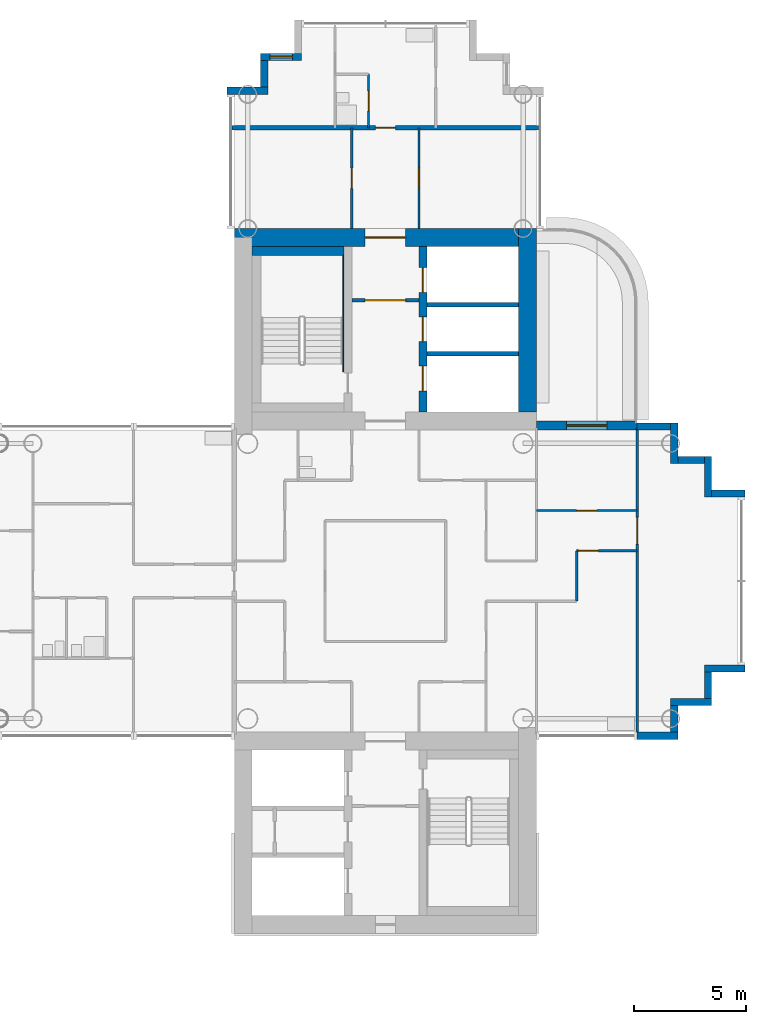
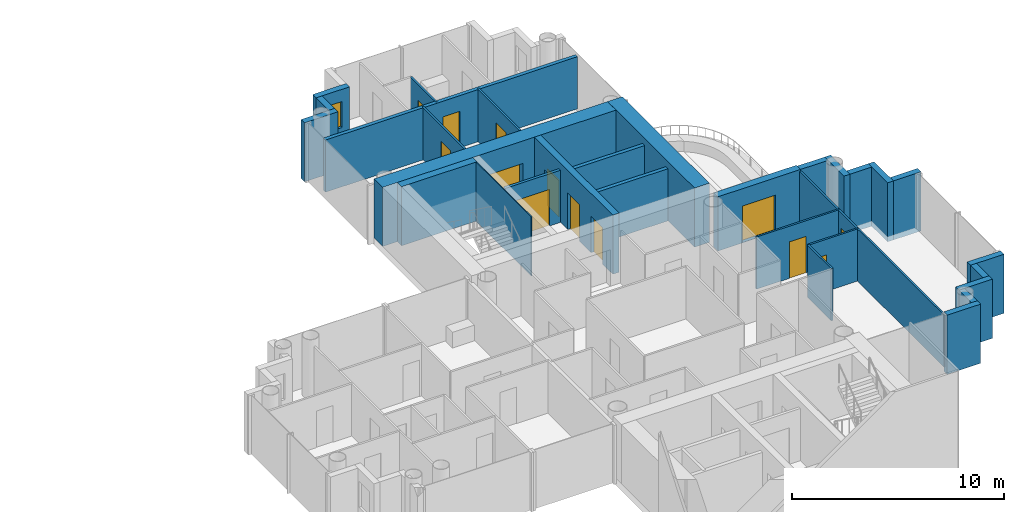
# One storey, part 12 of 20: 30 walls, 13 doors, 1 window, 14 openings.
"""IFC4 building model written with IfcOpenShell, lengths in metres."""

from ifc_helpers import new_model, si_unit, direction, frame, frame_2d, origin, place, context, subcontext, project, spatial, rectangle, extrude, material, layer, layer_set, type_object, element, fill, save


model = new_model("IFC4")

# Units and contexts
model_context = context("Model", 3, precision=1e-05, world=origin(), true_north=direction((0.0, 1.0)))
body_context = subcontext(model_context, "Body", "Model", "MODEL_VIEW")
ifc_project = project(units=[si_unit("LENGTHUNIT", "METRE"), si_unit("AREAUNIT", "SQUARE_METRE"), si_unit("VOLUMEUNIT", "CUBIC_METRE"), si_unit("PLANEANGLEUNIT", "RADIAN"), si_unit("MASSUNIT", "GRAM", prefix="KILO")], contexts=[model_context])

# Site, building, storey
site_placement = place(None, origin())
site = spatial("IfcSite", under=ifc_project, at=site_placement, CompositionType="ELEMENT")
building_placement = place(site_placement, origin())
building = spatial("IfcBuilding", under=site, at=building_placement, Name="Ipe Terrace Towers", CompositionType="ELEMENT")
storey_placement = place(building_placement, frame((0.0, 0.0, 160.89990234375)))
storey = spatial("IfcBuildingStorey", under=building, at=storey_placement, Name="L44", CompositionType="ELEMENT", Elevation=160.89990234375)

# Wall, opening, door
ifc_material_1 = material(Name="Concrete C40/50 with buff precast cladding", Category="concrete")
ifc_layer_1 = layer(ifc_material_1, 0.39990234375)
ifc_layer_set_1 = layer_set([ifc_layer_1], Name="BALCONY BAY WALL 400")
wall_type_1 = type_object("IfcWallType", Name="BALCONY BAY WALL 400", PredefinedType="STANDARD", material=ifc_layer_set_1)
wall_1_placement = place(storey_placement, frame((47.25, 6.949951171875, -0.02001953125), z_axis=(0.0, 0.0, 1.0), x_axis=(-1.0, 0.0, 0.0)))
wall_1 = element("IfcWall", 1, at=wall_1_placement, inside=storey, type_object=wall_type_1, Name="T2-W-L44-14a wall", PredefinedType="STANDARD", context=body_context, shape_type="SweptSolid", body=[
    extrude(rectangle(XDim=4.5, YDim=0.39990234375, at=frame_2d((2.25, 0.0))), origin(), (0.0, 0.0, 1.0), 3.1201171875),
])
opening_1_placement = place(wall_1_placement, frame((1.35009765625, 0.0, 0.02001953125)))
opening_1 = element("IfcOpeningElement", 2, at=opening_1_placement, cuts=wall_1, Name="Opening T2-D-L44-14", PredefinedType="OPENING", context=body_context, shape_type="SweptSolid", body=[
    extrude(rectangle(XDim=1.800048828125, YDim=2.10009765625, at=frame_2d((0.89990234375, 1.050048828125))), frame((0.0, 0.2099609375, 0.0), z_axis=(0.0, -1.0, 0.0), x_axis=(1.0, 0.0, 0.0)), (0.0, 0.0, 1.0), 0.419921875),
])
ifc_material_2 = material(Name="Aluminium alloy 6063-T6 framed glazed door", Category="aluminium")
door_type_1 = type_object("IfcDoorType", Name="BALCONY DOOR 1800 x 2100 RIGHT", OperationType="SINGLE_SWING_RIGHT", PredefinedType="DOOR", material=ifc_material_2)
door_1_placement = place(opening_1_placement, origin())
door_1 = element("IfcDoor", 3, at=door_1_placement, inside=storey, type_object=door_type_1, Name="DB2 door", OperationType="SINGLE_SWING_RIGHT", OverallHeight=2.10009765625, OverallWidth=1.800048828125, PredefinedType="DOOR", context=body_context, shape_type="SweptSolid", body=[
    extrude(rectangle(XDim=1.800048828125, YDim=2.10009765625, at=frame_2d((0.89990234375, 1.050048828125))), frame((0.0, 0.02490234375, 0.0), z_axis=(0.0, -1.0, 0.0), x_axis=(1.0, 0.0, 0.0)), (0.0, 0.0, 1.0), 0.050048828125),
])
fill(opening_1, door_1)

# Walls
ifc_material_3 = material(Name="Concrete C40/50 with buff precast cladding", Category="concrete")
ifc_layer_2 = layer(ifc_material_3, 0.320068359375)
ifc_layer_set_2 = layer_set([ifc_layer_2], Name="BUFF CLADDING WALL 320")
wall_type_2 = type_object("IfcWallType", Name="BUFF CLADDING WALL 320", PredefinedType="STANDARD", material=ifc_layer_set_2)
wall_2_placement = place(storey_placement, frame((47.25, -6.909912109375, -0.2998046875), z_axis=(0.0, 0.0, 1.0), x_axis=(1.0, 0.0, 0.0)))
element("IfcWall", 4, at=wall_2_placement, inside=storey, type_object=wall_type_2, Name="T2-W-L44-03a wall", PredefinedType="STANDARD", context=body_context, shape_type="SweptSolid", body=[
    extrude(rectangle(XDim=1.820068359375, YDim=0.320068359375, at=frame_2d((0.91015625, 0.0))), origin(), (0.0, 0.0, 1.0), 3.39990234375),
])
wall_3_placement = place(storey_placement, frame((48.909912109375, -6.75, -0.2998046875), z_axis=(0.0, 0.0, 1.0), x_axis=(0.0, 1.0, 0.0)))
element("IfcWall", 5, at=wall_3_placement, inside=storey, type_object=wall_type_2, Name="T2-W-L44-04a wall", PredefinedType="STANDARD", context=body_context, shape_type="SweptSolid", body=[
    extrude(rectangle(XDim=1.179931640625, YDim=0.320068359375, at=frame_2d((0.58984375, 0.0))), origin(), (0.0, 0.0, 1.0), 3.39990234375),
])
wall_4_placement = place(storey_placement, frame((48.75, -5.409912109375, -0.2998046875), z_axis=(0.0, 0.0, 1.0), x_axis=(1.0, 0.0, 0.0)))
element("IfcWall", 6, at=wall_4_placement, inside=storey, type_object=wall_type_2, Name="T2-W-L44-05a wall", PredefinedType="STANDARD", context=body_context, shape_type="SweptSolid", body=[
    extrude(rectangle(XDim=1.820068359375, YDim=0.320068359375, at=frame_2d((0.91015625, 0.0))), origin(), (0.0, 0.0, 1.0), 3.39990234375),
])
wall_5_placement = place(storey_placement, frame((50.409912109375, -5.25, -0.2998046875), z_axis=(0.0, 0.0, 1.0), x_axis=(0.0, 1.0, 0.0)))
element("IfcWall", 7, at=wall_5_placement, inside=storey, type_object=wall_type_2, Name="T2-W-L44-06a wall", PredefinedType="STANDARD", context=body_context, shape_type="SweptSolid", body=[
    extrude(rectangle(XDim=1.179931640625, YDim=0.320068359375, at=frame_2d((0.58984375, 0.0))), origin(), (0.0, 0.0, 1.0), 3.39990234375),
])
wall_6_placement = place(storey_placement, frame((50.25, -3.909912109375, -0.2998046875), z_axis=(0.0, 0.0, 1.0), x_axis=(1.0, 0.0, 0.0)))
element("IfcWall", 8, at=wall_6_placement, inside=storey, type_object=wall_type_2, Name="T2-W-L44-07a wall", PredefinedType="STANDARD", context=body_context, shape_type="SweptSolid", body=[
    extrude(rectangle(XDim=1.820068359375, YDim=0.320068359375, at=frame_2d((0.91015625, 0.0))), origin(), (0.0, 0.0, 1.0), 3.39990234375),
])
wall_7_placement = place(storey_placement, frame((52.070068359375, 3.909912109375, -0.2998046875), z_axis=(0.0, 0.0, 1.0), x_axis=(-1.0, 0.0, 0.0)))
element("IfcWall", 9, at=wall_7_placement, inside=storey, type_object=wall_type_2, Name="T2-W-L44-09a wall", PredefinedType="STANDARD", context=body_context, shape_type="SweptSolid", body=[
    extrude(rectangle(XDim=1.5, YDim=0.320068359375, at=frame_2d((0.75, 0.0))), origin(), (0.0, 0.0, 1.0), 3.39990234375),
])
wall_8_placement = place(storey_placement, frame((50.409912109375, 3.75, -0.2998046875), z_axis=(0.0, 0.0, 1.0), x_axis=(0.0, 1.0, 0.0)))
element("IfcWall", 10, at=wall_8_placement, inside=storey, type_object=wall_type_2, Name="T2-W-L44-10a wall", PredefinedType="STANDARD", context=body_context, shape_type="SweptSolid", body=[
    extrude(rectangle(XDim=1.820068359375, YDim=0.320068359375, at=frame_2d((0.91015625, 0.0))), origin(), (0.0, 0.0, 1.0), 3.39990234375),
])
wall_9_placement = place(storey_placement, frame((50.25, 5.409912109375, -0.2998046875), z_axis=(0.0, 0.0, 1.0), x_axis=(-1.0, 0.0, 0.0)))
element("IfcWall", 11, at=wall_9_placement, inside=storey, type_object=wall_type_2, Name="T2-W-L44-11a wall", PredefinedType="STANDARD", context=body_context, shape_type="SweptSolid", body=[
    extrude(rectangle(XDim=1.179931640625, YDim=0.320068359375, at=frame_2d((0.58984375, 0.0))), origin(), (0.0, 0.0, 1.0), 3.39990234375),
])
wall_10_placement = place(storey_placement, frame((48.909912109375, 5.25, -0.2998046875), z_axis=(0.0, 0.0, 1.0), x_axis=(0.0, 1.0, 0.0)))
element("IfcWall", 12, at=wall_10_placement, inside=storey, type_object=wall_type_2, Name="T2-W-L44-12a wall", PredefinedType="STANDARD", context=body_context, shape_type="SweptSolid", body=[
    extrude(rectangle(XDim=1.820068359375, YDim=0.320068359375, at=frame_2d((0.91015625, 0.0))), origin(), (0.0, 0.0, 1.0), 3.39990234375),
])
wall_11_placement = place(storey_placement, frame((48.75, 6.909912109375, -0.2998046875), z_axis=(0.0, 0.0, 1.0), x_axis=(-1.0, 0.0, 0.0)))
element("IfcWall", 13, at=wall_11_placement, inside=storey, type_object=wall_type_2, Name="T2-W-L44-13a wall", PredefinedType="STANDARD", context=body_context, shape_type="SweptSolid", body=[
    extrude(rectangle(XDim=1.5, YDim=0.320068359375, at=frame_2d((0.75, 0.0))), origin(), (0.0, 0.0, 1.0), 3.39990234375),
])

# Wall, opening, window
wall_12_placement = place(storey_placement, frame((32.25, 23.409912109375, -0.2998046875), z_axis=(0.0, 0.0, 1.0), x_axis=(-1.0, 0.0, 0.0)))
wall_12 = element("IfcWall", 14, at=wall_12_placement, inside=storey, type_object=wall_type_2, Name="T2-W-L44-23a wall", PredefinedType="STANDARD", context=body_context, shape_type="SweptSolid", body=[
    extrude(rectangle(XDim=1.820068359375, YDim=0.320068359375, at=frame_2d((0.91015625, 0.0))), origin(), (0.0, 0.0, 1.0), 3.39990234375),
])
opening_2_placement = place(wall_12_placement, frame((0.409912109375, 0.0, 1.199951171875)))
opening_2 = element("IfcOpeningElement", 15, at=opening_2_placement, cuts=wall_12, Name="Opening T2-W-05-L44-03", PredefinedType="OPENING", context=body_context, shape_type="SweptSolid", body=[
    extrude(rectangle(XDim=1.0, YDim=1.5, at=frame_2d((0.5, 0.75))), frame((0.0, 0.169921875, 0.0), z_axis=(0.0, -1.0, 0.0), x_axis=(1.0, 0.0, 0.0)), (0.0, 0.0, 1.0), 0.340087890625),
])
ifc_material_4 = material(Name="Glass, clear laminated", Category="glass")
window_type = type_object("IfcWindowType", Name="DWELLING WINDOW 1000 x 1500", PartitioningType="SINGLE_PANEL", PredefinedType="WINDOW", material=ifc_material_4)
window_placement = place(opening_2_placement, origin())
window = element("IfcWindow", 16, at=window_placement, inside=storey, type_object=window_type, Name="W-05 window", OverallHeight=1.5, OverallWidth=1.0, PartitioningType="SINGLE_PANEL", PredefinedType="WINDOW", context=body_context, shape_type="SweptSolid", body=[
    extrude(rectangle(XDim=1.0, YDim=1.5, at=frame_2d((0.5, 0.75))), frame((0.0, 0.030029296875, 0.0), z_axis=(0.0, -1.0, 0.0), x_axis=(1.0, 0.0, 0.0)), (0.0, 0.0, 1.0), 0.06005859375),
])
fill(opening_2, window)

# Walls
wall_13_placement = place(storey_placement, frame((30.590087890625, 23.25, -0.2998046875), z_axis=(0.0, 0.0, 1.0), x_axis=(0.0, -1.0, 0.0)))
element("IfcWall", 17, at=wall_13_placement, inside=storey, type_object=wall_type_2, Name="T2-W-L44-24a wall", PredefinedType="STANDARD", context=body_context, shape_type="SweptSolid", body=[
    extrude(rectangle(XDim=1.179931640625, YDim=0.320068359375, at=frame_2d((0.58984375, 0.0))), origin(), (0.0, 0.0, 1.0), 3.39990234375),
])
wall_14_placement = place(storey_placement, frame((30.75, 21.909912109375, -0.2998046875), z_axis=(0.0, 0.0, 1.0), x_axis=(-1.0, 0.0, 0.0)))
element("IfcWall", 18, at=wall_14_placement, inside=storey, type_object=wall_type_2, Name="T2-W-L44-25a wall", PredefinedType="STANDARD", context=body_context, shape_type="SweptSolid", body=[
    extrude(rectangle(XDim=1.820068359375, YDim=0.320068359375, at=frame_2d((0.91015625, 0.0))), origin(), (0.0, 0.0, 1.0), 3.39990234375),
])

# Wall, opening, door
ifc_material_5 = material(Name="Gypsum board partition", Category="plasterboard")
ifc_layer_3 = layer(ifc_material_5, 0.10009765625)
ifc_layer_set_3 = layer_set([ifc_layer_3], Name="Gypsum board partition 100 mm")
wall_type_3 = type_object("IfcWallType", Name="Gypsum board partition 100 mm", PredefinedType="PARTITIONING", material=ifc_layer_set_3)
wall_15_placement = place(storey_placement, frame((47.25, 1.35009765625, 0.0), z_axis=(0.0, 0.0, 1.0), x_axis=(-1.0, 0.0, 0.0)))
wall_15 = element("IfcWall", 19, at=wall_15_placement, inside=storey, type_object=wall_type_3, Name="Gypsum board partition T2 L44 W13", PredefinedType="PARTITIONING", context=body_context, shape_type="SweptSolid", body=[
    extrude(rectangle(XDim=2.699951171875, YDim=0.10009765625, at=frame_2d((1.35009765625, 0.0))), origin(), (0.0, 0.0, 1.0), 3.0),
])
opening_3_placement = place(wall_15_placement, frame((1.72998046875, 0.0, 0.0)))
opening_3 = element("IfcOpeningElement", 20, at=opening_3_placement, cuts=wall_15, Name="Opening T2-Z3C-21", PredefinedType="OPENING", context=body_context, shape_type="SweptSolid", body=[
    extrude(rectangle(XDim=0.89990234375, YDim=2.10009765625, at=frame_2d((0.449951171875, 1.050048828125))), frame((0.0, 0.06005859375, 0.0), z_axis=(0.0, -1.0, 0.0), x_axis=(1.0, 0.0, 0.0)), (0.0, 0.0, 1.0), 0.1201171875),
])
ifc_material_6 = material(Name="Timber door leaf", Category="wood")
door_type_2 = type_object("IfcDoorType", Name="Lounge door 900 x 2100", OperationType="NOTDEFINED", PredefinedType="DOOR", material=ifc_material_6)
door_2_placement = place(opening_3_placement, origin())
door_2 = element("IfcDoor", 21, at=door_2_placement, inside=storey, type_object=door_type_2, Name="Lounge door T2-Z3C-21", OperationType="SINGLE_SWING_LEFT", OverallHeight=2.10009765625, OverallWidth=0.89990234375, PredefinedType="DOOR", context=body_context, shape_type="SweptSolid", body=[
    extrude(rectangle(XDim=0.89990234375, YDim=2.10009765625, at=frame_2d((0.449951171875, 1.050048828125))), frame((0.0, 0.02490234375, 0.0), z_axis=(0.0, -1.0, 0.0), x_axis=(1.0, 0.0, 0.0)), (0.0, 0.0, 1.0), 0.050048828125),
])
fill(opening_3, door_2)

wall_16_placement = place(storey_placement, frame((47.25, 3.14990234375, 0.0), z_axis=(0.0, 0.0, 1.0), x_axis=(-1.0, 0.0, 0.0)))
wall_16 = element("IfcWall", 22, at=wall_16_placement, inside=storey, type_object=wall_type_3, Name="Gypsum board partition T2 L44 W16", PredefinedType="PARTITIONING", context=body_context, shape_type="SweptSolid", body=[
    extrude(rectangle(XDim=4.5, YDim=0.10009765625, at=frame_2d((2.25, 0.0))), origin(), (0.0, 0.0, 1.0), 3.0),
])
opening_4_placement = place(wall_16_placement, frame((1.800048828125, 0.0, 0.0)))
opening_4 = element("IfcOpeningElement", 23, at=opening_4_placement, cuts=wall_16, Name="Opening T2-Z3C-20", PredefinedType="OPENING", context=body_context, shape_type="SweptSolid", body=[
    extrude(rectangle(XDim=0.89990234375, YDim=2.10009765625, at=frame_2d((0.449951171875, 1.050048828125))), frame((0.0, 0.06005859375, 0.0), z_axis=(0.0, -1.0, 0.0), x_axis=(1.0, 0.0, 0.0)), (0.0, 0.0, 1.0), 0.1201171875),
])
door_3_placement = place(opening_4_placement, origin())
door_3 = element("IfcDoor", 24, at=door_3_placement, inside=storey, type_object=door_type_2, Name="Lounge door T2-Z3C-20", OperationType="SINGLE_SWING_RIGHT", OverallHeight=2.10009765625, OverallWidth=0.89990234375, PredefinedType="DOOR", context=body_context, shape_type="SweptSolid", body=[
    extrude(rectangle(XDim=0.89990234375, YDim=2.10009765625, at=frame_2d((0.449951171875, 1.050048828125))), frame((0.0, 0.02490234375, 0.0), z_axis=(0.0, -1.0, 0.0), x_axis=(1.0, 0.0, 0.0)), (0.0, 0.0, 1.0), 0.050048828125),
])
fill(opening_4, door_3)

wall_17_placement = place(storey_placement, frame((47.25, -6.85009765625, 0.0), z_axis=(0.0, 0.0, 1.0), x_axis=(0.0, 1.0, 0.0)))
wall_17 = element("IfcWall", 25, at=wall_17_placement, inside=storey, type_object=wall_type_3, Name="Gypsum board partition T2 L44 W22", PredefinedType="PARTITIONING", context=body_context, shape_type="SweptSolid", body=[
    extrude(rectangle(XDim=13.7001953125, YDim=0.10009765625, at=frame_2d((6.85009765625, 0.0))), origin(), (0.0, 0.0, 1.0), 3.0),
])
opening_5_placement = place(wall_17_placement, frame((8.5, 0.0, 0.0)))
opening_5 = element("IfcOpeningElement", 26, at=opening_5_placement, cuts=wall_17, Name="Opening T2-Z3C-22", PredefinedType="OPENING", context=body_context, shape_type="SweptSolid", body=[
    extrude(rectangle(XDim=1.199951171875, YDim=2.10009765625, at=frame_2d((0.60009765625, 1.050048828125))), frame((0.0, 0.06005859375, 0.0), z_axis=(0.0, -1.0, 0.0), x_axis=(1.0, 0.0, 0.0)), (0.0, 0.0, 1.0), 0.1201171875),
])
ifc_material_7 = material(Name="Timber door leaf", Category="wood")
door_type_3 = type_object("IfcDoorType", Name="Lounge door 1200 x 2100", OperationType="NOTDEFINED", PredefinedType="DOOR", material=ifc_material_7)
door_4_placement = place(opening_5_placement, origin())
door_4 = element("IfcDoor", 27, at=door_4_placement, inside=storey, type_object=door_type_3, Name="Lounge door T2-Z3C-22", OperationType="SINGLE_SWING_RIGHT", OverallHeight=2.10009765625, OverallWidth=1.199951171875, PredefinedType="DOOR", context=body_context, shape_type="SweptSolid", body=[
    extrude(rectangle(XDim=1.199951171875, YDim=2.10009765625, at=frame_2d((0.60009765625, 1.050048828125))), frame((0.0, 0.02490234375, 0.0), z_axis=(0.0, -1.0, 0.0), x_axis=(1.0, 0.0, 0.0)), (0.0, 0.0, 1.0), 0.050048828125),
])
fill(opening_5, door_4)

# Wall
wall_18_placement = place(storey_placement, frame((44.550048828125, -0.89990234375, 0.0), z_axis=(0.0, 0.0, 1.0), x_axis=(0.0, 1.0, 0.0)))
element("IfcWall", 28, at=wall_18_placement, inside=storey, type_object=wall_type_3, Name="Gypsum board partition T2 L44 W23", PredefinedType="PARTITIONING", context=body_context, shape_type="SweptSolid", body=[
    extrude(rectangle(XDim=2.25, YDim=0.10009765625, at=frame_2d((1.125, 0.0))), origin(), (0.0, 0.0, 1.0), 3.0),
])

# Wall, opening, door
wall_19_placement = place(storey_placement, frame((37.5, 15.75, 0.0), z_axis=(0.0, 0.0, 1.0), x_axis=(0.0, 1.0, 0.0)))
wall_19 = element("IfcWall", 29, at=wall_19_placement, inside=storey, type_object=wall_type_3, Name="Gypsum board partition T2 L44 W32", PredefinedType="PARTITIONING", context=body_context, shape_type="SweptSolid", body=[
    extrude(rectangle(XDim=4.5, YDim=0.10009765625, at=frame_2d((2.25, 0.0))), origin(), (0.0, 0.0, 1.0), 3.0),
])
opening_6_placement = place(wall_19_placement, frame((1.800048828125, 0.0, 0.0)))
opening_6 = element("IfcOpeningElement", 30, at=opening_6_placement, cuts=wall_19, Name="Opening T2-Z3C-24", PredefinedType="OPENING", context=body_context, shape_type="SweptSolid", body=[
    extrude(rectangle(XDim=0.89990234375, YDim=2.10009765625, at=frame_2d((0.449951171875, 1.050048828125))), frame((0.0, 0.06005859375, 0.0), z_axis=(0.0, -1.0, 0.0), x_axis=(1.0, 0.0, 0.0)), (0.0, 0.0, 1.0), 0.1201171875),
])
door_5_placement = place(opening_6_placement, origin())
door_5 = element("IfcDoor", 31, at=door_5_placement, inside=storey, type_object=door_type_2, Name="Lounge door T2-Z3C-24", OperationType="SINGLE_SWING_RIGHT", OverallHeight=2.10009765625, OverallWidth=0.89990234375, PredefinedType="DOOR", context=body_context, shape_type="SweptSolid", body=[
    extrude(rectangle(XDim=0.89990234375, YDim=2.10009765625, at=frame_2d((0.449951171875, 1.050048828125))), frame((0.0, 0.02490234375, 0.0), z_axis=(0.0, -1.0, 0.0), x_axis=(1.0, 0.0, 0.0)), (0.0, 0.0, 1.0), 0.050048828125),
])
fill(opening_6, door_5)

wall_20_placement = place(storey_placement, frame((35.25, 20.25, 0.0), z_axis=(0.0, 0.0, 1.0), x_axis=(0.0, 1.0, 0.0)))
wall_20 = element("IfcWall", 32, at=wall_20_placement, inside=storey, type_object=wall_type_3, Name="Gypsum board partition T2 L44 W33", PredefinedType="PARTITIONING", context=body_context, shape_type="SweptSolid", body=[
    extrude(rectangle(XDim=2.39990234375, YDim=0.10009765625, at=frame_2d((1.199951171875, 0.0))), origin(), (0.0, 0.0, 1.0), 3.0),
])
opening_7_placement = place(wall_20_placement, frame((0.75, 0.0, 0.0)))
opening_7 = element("IfcOpeningElement", 33, at=opening_7_placement, cuts=wall_20, Name="Opening T2-Z3C-25", PredefinedType="OPENING", context=body_context, shape_type="SweptSolid", body=[
    extrude(rectangle(XDim=0.89990234375, YDim=2.10009765625, at=frame_2d((0.449951171875, 1.050048828125))), frame((0.0, 0.06005859375, 0.0), z_axis=(0.0, -1.0, 0.0), x_axis=(1.0, 0.0, 0.0)), (0.0, 0.0, 1.0), 0.1201171875),
])
ifc_material_8 = material(Name="Timber door leaf", Category="wood")
door_type_4 = type_object("IfcDoorType", Name="Bathroom door 900 x 2100", OperationType="NOTDEFINED", PredefinedType="DOOR", material=ifc_material_8)
door_6_placement = place(opening_7_placement, origin())
door_6 = element("IfcDoor", 34, at=door_6_placement, inside=storey, type_object=door_type_4, Name="Bathroom door T2-Z3C-25", OperationType="SINGLE_SWING_LEFT", OverallHeight=2.10009765625, OverallWidth=0.89990234375, PredefinedType="DOOR", context=body_context, shape_type="SweptSolid", body=[
    extrude(rectangle(XDim=0.89990234375, YDim=2.10009765625, at=frame_2d((0.449951171875, 1.050048828125))), frame((0.0, 0.02490234375, 0.0), z_axis=(0.0, -1.0, 0.0), x_axis=(1.0, 0.0, 0.0)), (0.0, 0.0, 1.0), 0.050048828125),
])
fill(opening_7, door_6)

wall_21_placement = place(storey_placement, frame((34.5, 15.75, 0.0), z_axis=(0.0, 0.0, 1.0), x_axis=(0.0, 1.0, 0.0)))
wall_21 = element("IfcWall", 35, at=wall_21_placement, inside=storey, type_object=wall_type_3, Name="Gypsum board partition T2 L44 W36", PredefinedType="PARTITIONING", context=body_context, shape_type="SweptSolid", body=[
    extrude(rectangle(XDim=4.5, YDim=0.10009765625, at=frame_2d((2.25, 0.0))), origin(), (0.0, 0.0, 1.0), 3.0),
])
opening_8_placement = place(wall_21_placement, frame((1.800048828125, 0.0, 0.0)))
opening_8 = element("IfcOpeningElement", 36, at=opening_8_placement, cuts=wall_21, Name="Opening T2-Z3C-23", PredefinedType="OPENING", context=body_context, shape_type="SweptSolid", body=[
    extrude(rectangle(XDim=0.89990234375, YDim=2.10009765625, at=frame_2d((0.449951171875, 1.050048828125))), frame((0.0, 0.06005859375, 0.0), z_axis=(0.0, -1.0, 0.0), x_axis=(1.0, 0.0, 0.0)), (0.0, 0.0, 1.0), 0.1201171875),
])
door_7_placement = place(opening_8_placement, origin())
door_7 = element("IfcDoor", 37, at=door_7_placement, inside=storey, type_object=door_type_2, Name="Lounge door T2-Z3C-23", OperationType="SINGLE_SWING_LEFT", OverallHeight=2.10009765625, OverallWidth=0.89990234375, PredefinedType="DOOR", context=body_context, shape_type="SweptSolid", body=[
    extrude(rectangle(XDim=0.89990234375, YDim=2.10009765625, at=frame_2d((0.449951171875, 1.050048828125))), frame((0.0, 0.02490234375, 0.0), z_axis=(0.0, -1.0, 0.0), x_axis=(1.0, 0.0, 0.0)), (0.0, 0.0, 1.0), 0.050048828125),
])
fill(opening_8, door_7)

ifc_material_9 = material(Name="Gypsum board partition", Category="plasterboard")
ifc_layer_4 = layer(ifc_material_9, 0.14990234375)
ifc_layer_set_4 = layer_set([ifc_layer_4], Name="Gypsum board partition 150 mm")
wall_type_4 = type_object("IfcWallType", Name="Gypsum board partition 150 mm", PredefinedType="PARTITIONING", material=ifc_layer_set_4)
wall_22_placement = place(storey_placement, frame((37.5, 12.550048828125, 0.0), z_axis=(0.0, 0.0, 1.0), x_axis=(-1.0, 0.0, 0.0)))
wall_22 = element("IfcWall", 38, at=wall_22_placement, inside=storey, type_object=wall_type_4, Name="Gypsum board partition T2 L44 t2c1-lobby-wall", PredefinedType="PARTITIONING", context=body_context, shape_type="SweptSolid", body=[
    extrude(rectangle(XDim=3.0, YDim=0.14990234375, at=frame_2d((1.5, 0.0))), origin(), (0.0, 0.0, 1.0), 3.0),
])
opening_9_placement = place(wall_22_placement, frame((0.60009765625, 0.0, 0.0)))
opening_9 = element("IfcOpeningElement", 39, at=opening_9_placement, cuts=wall_22, Name="Opening T2C1-VD", PredefinedType="OPENING", context=body_context, shape_type="SweptSolid", body=[
    extrude(rectangle(XDim=1.800048828125, YDim=2.10009765625, at=frame_2d((0.89990234375, 1.050048828125))), frame((0.0, 0.0849609375, 0.0), z_axis=(0.0, -1.0, 0.0), x_axis=(1.0, 0.0, 0.0)), (0.0, 0.0, 1.0), 0.169921875),
])
ifc_material_10 = material(Name="Fire-rated timber door leaf", Category="wood")
door_type_5 = type_object("IfcDoorType", Name="Lobby door 1800 x 2100 FD60", OperationType="NOTDEFINED", PredefinedType="DOOR", material=ifc_material_10)
door_8_placement = place(opening_9_placement, origin())
door_8 = element("IfcDoor", 40, at=door_8_placement, inside=storey, type_object=door_type_5, Name="Lobby door T2C1-VD", OperationType="SINGLE_SWING_LEFT", OverallHeight=2.10009765625, OverallWidth=1.800048828125, PredefinedType="DOOR", context=body_context, shape_type="SweptSolid", body=[
    extrude(rectangle(XDim=1.800048828125, YDim=2.10009765625, at=frame_2d((0.89990234375, 1.050048828125))), frame((0.0, 0.02490234375, 0.0), z_axis=(0.0, -1.0, 0.0), x_axis=(1.0, 0.0, 0.0)), (0.0, 0.0, 1.0), 0.050048828125),
])
fill(opening_9, door_8)

# Walls
ifc_material_11 = material(Name="Gypsum board party wall", Category="plasterboard")
ifc_layer_5 = layer(ifc_material_11, 0.199951171875)
ifc_layer_set_5 = layer_set([ifc_layer_5], Name="Gypsum board party wall 200 mm")
wall_type_5 = type_object("IfcWallType", Name="Gypsum board party wall 200 mm", PredefinedType="SOLIDWALL", material=ifc_layer_set_5)
for number, where, z_axis, x_axis, name in (
    (41, (41.949951171875, 10.14990234375, 0.0), (0.0, 0.0, 1.0), (-1.0, 0.0, 0.0), "Gypsum board party wall T2 L44 t2c1-shaft-div1"),
    (42, (41.949951171875, 12.35009765625, 0.0), (0.0, 0.0, 1.0), (-1.0, 0.0, 0.0), "Gypsum board party wall T2 L44 t2c1-shaft-div2"),
):
    element("IfcWall", number, at=place(storey_placement, frame(where, z_axis=z_axis, x_axis=x_axis)), inside=storey, type_object=wall_type_5, Name=name, PredefinedType="SOLIDWALL", context=body_context, shape_type="SweptSolid", body=[
        extrude(rectangle(XDim=4.099853515625, YDim=0.199951171875, at=frame_2d((2.0498046875, 0.0))), origin(), (0.0, 0.0, 1.0), 3.0),
    ])

# Wall, opening, door
wall_23_placement = place(storey_placement, frame((42.85009765625, 20.25, 0.0), z_axis=(0.0, 0.0, 1.0), x_axis=(-1.0, 0.0, 0.0)))
wall_23 = element("IfcWall", 43, at=wall_23_placement, inside=storey, type_object=wall_type_5, Name="Gypsum board party wall T2 L44 W20", PredefinedType="SOLIDWALL", context=body_context, shape_type="SweptSolid", body=[
    extrude(rectangle(XDim=13.7001953125, YDim=0.199951171875, at=frame_2d((6.85009765625, 0.0))), origin(), (0.0, 0.0, 1.0), 3.0),
])
opening_10_placement = place(wall_23_placement, frame((6.39990234375, 0.0, 0.0)))
opening_10 = element("IfcOpeningElement", 44, at=opening_10_placement, cuts=wall_23, Name="Opening T2-Z3C-26", PredefinedType="OPENING", context=body_context, shape_type="SweptSolid", body=[
    extrude(rectangle(XDim=0.89990234375, YDim=2.10009765625, at=frame_2d((0.449951171875, 1.050048828125))), frame((0.0, 0.10986328125, 0.0), z_axis=(0.0, -1.0, 0.0), x_axis=(1.0, 0.0, 0.0)), (0.0, 0.0, 1.0), 0.219970703125),
])
ifc_material_12 = material(Name="Fire-rated timber door leaf", Category="wood")
door_type_6 = type_object("IfcDoorType", Name="Flat entrance door 900 x 2100 FD30S", OperationType="NOTDEFINED", PredefinedType="DOOR", material=ifc_material_12)
door_9_placement = place(opening_10_placement, origin())
door_9 = element("IfcDoor", 45, at=door_9_placement, inside=storey, type_object=door_type_6, Name="Flat entrance door T2-Z3C-26", OperationType="SINGLE_SWING_RIGHT", OverallHeight=2.10009765625, OverallWidth=0.89990234375, PredefinedType="DOOR", context=body_context, shape_type="SweptSolid", body=[
    extrude(rectangle(XDim=0.89990234375, YDim=2.10009765625, at=frame_2d((0.449951171875, 1.050048828125))), frame((0.0, 0.02490234375, 0.0), z_axis=(0.0, -1.0, 0.0), x_axis=(1.0, 0.0, 0.0)), (0.0, 0.0, 1.0), 0.050048828125),
])
fill(opening_10, door_9)

# Wall, openings, doors
ifc_material_13 = material(Name="Concrete C50/60", Category="concrete")
ifc_layer_6 = layer(ifc_material_13, 0.35009765625)
ifc_layer_set_6 = layer_set([ifc_layer_6], Name="RW350 CORE SPINE WALL 350 C50-60")
wall_type_6 = type_object("IfcWallType", Name="RW350 CORE SPINE WALL 350 C50-60", PredefinedType="SHEAR", material=ifc_layer_set_6)
wall_24_placement = place(storey_placement, frame((37.675048828125, 7.550048828125, 0.0), z_axis=(0.0, 0.0, 1.0), x_axis=(0.0, 1.0, 0.0)))
wall_24 = element("IfcWall", 46, at=wall_24_placement, inside=storey, type_object=wall_type_6, Name="Core spine wall T2-C1-Z3-SW2", PredefinedType="SHEAR", context=body_context, shape_type="SweptSolid", body=[
    extrude(rectangle(XDim=7.39990234375, YDim=0.35009765625, at=frame_2d((3.699951171875, 0.0))), origin(), (0.0, 0.0, 1.0), 3.400146484375),
])
opening_11_placement = place(wall_24_placement, frame((0.949951171875, 0.0, 0.0)))
opening_11 = element("IfcOpeningElement", 47, at=opening_11_placement, cuts=wall_24, Name="Opening T2C1-LD1", PredefinedType="OPENING", context=body_context, shape_type="SweptSolid", body=[
    extrude(rectangle(XDim=1.10009765625, YDim=2.10009765625, at=frame_2d((0.550048828125, 1.050048828125))), frame((0.0, 0.18505859375, 0.0), z_axis=(0.0, -1.0, 0.0), x_axis=(1.0, 0.0, 0.0)), (0.0, 0.0, 1.0), 0.3701171875),
])
opening_12_placement = place(wall_24_placement, frame((3.14990234375, 0.0, 0.0)))
opening_12 = element("IfcOpeningElement", 48, at=opening_12_placement, cuts=wall_24, Name="Opening T2C1-LD2", PredefinedType="OPENING", context=body_context, shape_type="SweptSolid", body=[
    extrude(rectangle(XDim=1.10009765625, YDim=2.10009765625, at=frame_2d((0.550048828125, 1.050048828125))), frame((0.0, 0.18505859375, 0.0), z_axis=(0.0, -1.0, 0.0), x_axis=(1.0, 0.0, 0.0)), (0.0, 0.0, 1.0), 0.3701171875),
])
opening_13_placement = place(wall_24_placement, frame((5.35009765625, 0.0, 0.0)))
opening_13 = element("IfcOpeningElement", 49, at=opening_13_placement, cuts=wall_24, Name="Opening T2C1-LD3", PredefinedType="OPENING", context=body_context, shape_type="SweptSolid", body=[
    extrude(rectangle(XDim=1.10009765625, YDim=2.10009765625, at=frame_2d((0.550048828125, 1.050048828125))), frame((0.0, 0.18505859375, 0.0), z_axis=(0.0, -1.0, 0.0), x_axis=(1.0, 0.0, 0.0)), (0.0, 0.0, 1.0), 0.3701171875),
])
ifc_material_14 = material(Name="Fire-rated timber door leaf", Category="wood")
door_type_7 = type_object("IfcDoorType", Name="Sliding door 1100 x 2100 FD60", OperationType="SLIDING_TO_LEFT", PredefinedType="DOOR", material=ifc_material_14)
door_10_placement = place(opening_11_placement, origin())
door_10 = element("IfcDoor", 50, at=door_10_placement, inside=storey, type_object=door_type_7, Name="Sliding door T2C1-LD1", OperationType="SLIDING_TO_LEFT", OverallHeight=2.10009765625, OverallWidth=1.10009765625, PredefinedType="DOOR", context=body_context, shape_type="SweptSolid", body=[
    extrude(rectangle(XDim=1.10009765625, YDim=2.10009765625, at=frame_2d((0.550048828125, 1.050048828125))), frame((0.0, 0.02490234375, 0.0), z_axis=(0.0, -1.0, 0.0), x_axis=(1.0, 0.0, 0.0)), (0.0, 0.0, 1.0), 0.050048828125),
])
fill(opening_11, door_10)
door_11_placement = place(opening_12_placement, origin())
door_11 = element("IfcDoor", 51, at=door_11_placement, inside=storey, type_object=door_type_7, Name="Sliding door T2C1-LD2", OperationType="SLIDING_TO_LEFT", OverallHeight=2.10009765625, OverallWidth=1.10009765625, PredefinedType="DOOR", context=body_context, shape_type="SweptSolid", body=[
    extrude(rectangle(XDim=1.10009765625, YDim=2.10009765625, at=frame_2d((0.550048828125, 1.050048828125))), frame((0.0, 0.02490234375, 0.0), z_axis=(0.0, -1.0, 0.0), x_axis=(1.0, 0.0, 0.0)), (0.0, 0.0, 1.0), 0.050048828125),
])
fill(opening_12, door_11)
door_12_placement = place(opening_13_placement, origin())
door_12 = element("IfcDoor", 52, at=door_12_placement, inside=storey, type_object=door_type_7, Name="Sliding door T2C1-LD3", OperationType="SLIDING_TO_LEFT", OverallHeight=2.10009765625, OverallWidth=1.10009765625, PredefinedType="DOOR", context=body_context, shape_type="SweptSolid", body=[
    extrude(rectangle(XDim=1.10009765625, YDim=2.10009765625, at=frame_2d((0.550048828125, 1.050048828125))), frame((0.0, 0.02490234375, 0.0), z_axis=(0.0, -1.0, 0.0), x_axis=(1.0, 0.0, 0.0)), (0.0, 0.0, 1.0), 0.050048828125),
])
fill(opening_13, door_12)

# Walls
ifc_material_15 = material(Name="Concrete C50/60", Category="concrete")
ifc_layer_7 = layer(ifc_material_15, 0.39990234375)
ifc_layer_set_7 = layer_set([ifc_layer_7], Name="RW400 CORE INFILL WALL 400 C50-60")
wall_type_7 = type_object("IfcWallType", Name="RW400 CORE INFILL WALL 400 C50-60", PredefinedType="SHEAR", material=ifc_layer_set_7)
wall_25_placement = place(storey_placement, frame((34.14990234375, 14.75, 0.0), z_axis=(0.0, 0.0, 1.0), x_axis=(-1.0, 0.0, 0.0)))
element("IfcWall", 53, at=wall_25_placement, inside=storey, type_object=wall_type_7, Name="Core infill wall T2-C1-far", PredefinedType="SHEAR", context=body_context, shape_type="SweptSolid", body=[
    extrude(rectangle(XDim=4.099853515625, YDim=0.39990234375, at=frame_2d((2.0498046875, 0.0))), origin(), (0.0, 0.0, 1.0), 3.400146484375),
])
ifc_material_16 = material(Name="Concrete C50/60", Category="concrete")
ifc_layer_8 = layer(ifc_material_16, 0.050048828125)
ifc_layer_set_8 = layer_set([ifc_layer_8], Name="RW50 CORE INFILL WALL 50 C50-60")
wall_type_8 = type_object("IfcWallType", Name="RW50 CORE INFILL WALL 50 C50-60", PredefinedType="SHEAR", material=ifc_layer_set_8)
wall_26_placement = place(storey_placement, frame((34.125, 9.35009765625, 0.0), z_axis=(0.0, 0.0, 1.0), x_axis=(0.0, 1.0, 0.0)))
element("IfcWall", 54, at=wall_26_placement, inside=storey, type_object=wall_type_8, Name="Core infill wall T2-C1-spine-b", PredefinedType="SHEAR", context=body_context, shape_type="SweptSolid", body=[
    extrude(rectangle(XDim=5.199951171875, YDim=0.050048828125, at=frame_2d((2.60009765625, 0.0))), origin(), (0.0, 0.0, 1.0), 3.400146484375),
])
ifc_material_17 = material(Name="Concrete C50/60", Category="concrete")
ifc_layer_9 = layer(ifc_material_17, 0.800048828125)
ifc_layer_set_9 = layer_set([ifc_layer_9], Name="RW800 CORE WALL 800 C50-60")
wall_type_9 = type_object("IfcWallType", Name="RW800 CORE WALL 800 C50-60", PredefinedType="SHEAR", material=ifc_layer_set_9)
wall_27_placement = place(storey_placement, frame((42.35009765625, 7.550048828125, 0.0), z_axis=(0.0, 0.0, 1.0), x_axis=(0.0, 1.0, 0.0)))
element("IfcWall", 55, at=wall_27_placement, inside=storey, type_object=wall_type_9, Name="Core wall T2-C1-Z3-W02", PredefinedType="SHEAR", context=body_context, shape_type="SweptSolid", body=[
    extrude(rectangle(XDim=8.199951171875, YDim=0.800048828125, at=frame_2d((4.10009765625, 0.0))), origin(), (0.0, 0.0, 1.0), 3.400146484375),
])

# Wall, opening, door
wall_28_placement = place(storey_placement, frame((41.949951171875, 15.35009765625, 0.0), z_axis=(0.0, 0.0, 1.0), x_axis=(-1.0, 0.0, 0.0)))
wall_28 = element("IfcWall", 56, at=wall_28_placement, inside=storey, type_object=wall_type_9, Name="Core wall T2-C1-Z3-W03", PredefinedType="SHEAR", context=body_context, shape_type="SweptSolid", body=[
    extrude(rectangle(XDim=12.699951171875, YDim=0.800048828125, at=frame_2d((6.35009765625, 0.0))), origin(), (0.0, 0.0, 1.0), 3.400146484375),
])
opening_14_placement = place(wall_28_placement, frame((5.050048828125, 0.0, 0.0)))
opening_14 = element("IfcOpeningElement", 57, at=opening_14_placement, cuts=wall_28, Name="Opening T2C1-FD", PredefinedType="OPENING", context=body_context, shape_type="SweptSolid", body=[
    extrude(rectangle(XDim=1.800048828125, YDim=2.10009765625, at=frame_2d((0.89990234375, 1.050048828125))), frame((0.0, 0.41015625, 0.0), z_axis=(0.0, -1.0, 0.0), x_axis=(1.0, 0.0, 0.0)), (0.0, 0.0, 1.0), 0.820068359375),
])
ifc_material_18 = material(Name="Fire-rated timber door leaf", Category="wood")
door_type_8 = type_object("IfcDoorType", Name="Fire door 1800 x 2100 FD30S", OperationType="NOTDEFINED", PredefinedType="DOOR", material=ifc_material_18)
door_13_placement = place(opening_14_placement, origin())
door_13 = element("IfcDoor", 58, at=door_13_placement, inside=storey, type_object=door_type_8, Name="Fire door T2C1-FD", OperationType="SINGLE_SWING_LEFT", OverallHeight=2.10009765625, OverallWidth=1.800048828125, PredefinedType="DOOR", context=body_context, shape_type="SweptSolid", body=[
    extrude(rectangle(XDim=1.800048828125, YDim=2.10009765625, at=frame_2d((0.89990234375, 1.050048828125))), frame((0.0, 0.02490234375, 0.0), z_axis=(0.0, -1.0, 0.0), x_axis=(1.0, 0.0, 0.0)), (0.0, 0.0, 1.0), 0.050048828125),
])
fill(opening_14, door_13)

save(model, "model.ifc")
